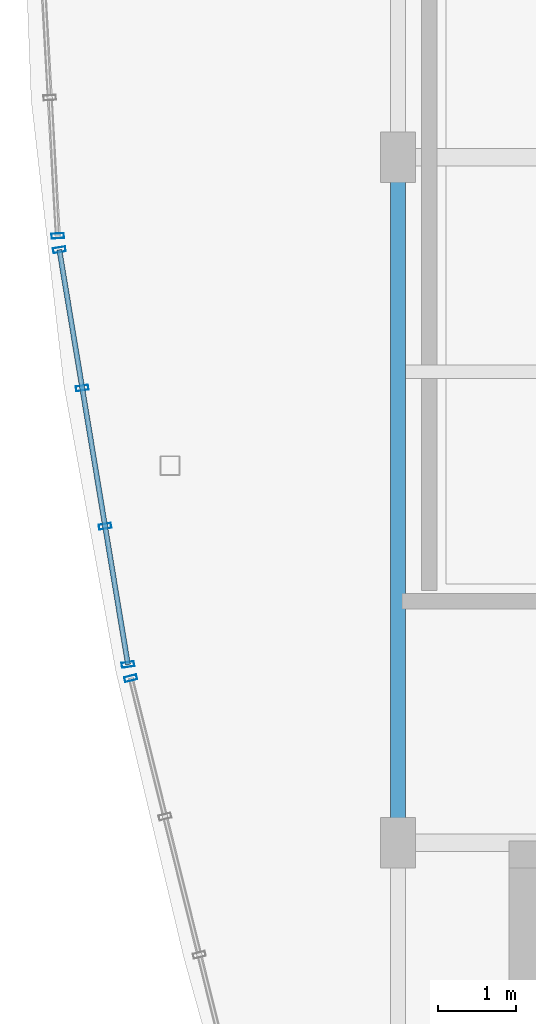
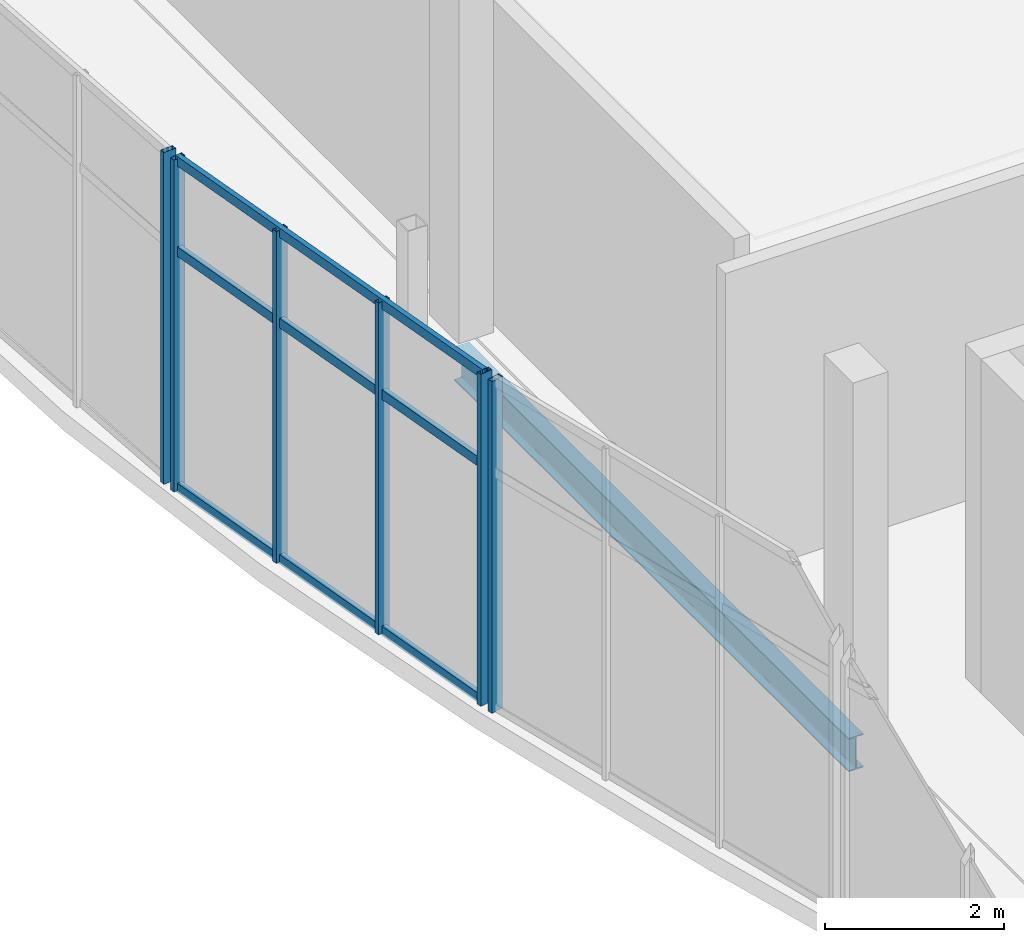
# One storey, part 20 of 157: 9 members, 1 beam, 3 elements without a shape of their own.
"""IFC4 building model written with IfcOpenShell, lengths in metres."""

from ifc_helpers import new_model, si_unit, direction, frame, origin, origin_2d, place, context, subcontext, project, spatial, hollow_rectangle, i_section, extrude, material, layer, layer_set, material_profile, profile_set, type_object, element, aggregate, save


model = new_model("IFC4")

# Units and contexts
model_context = context("Model", 3, precision=1e-05, world=origin(), true_north=direction((0.0, 1.0)))
body_context = subcontext(model_context, "Body", "Model", "MODEL_VIEW")
ifc_project = project(units=[si_unit("LENGTHUNIT", "METRE"), si_unit("AREAUNIT", "SQUARE_METRE"), si_unit("VOLUMEUNIT", "CUBIC_METRE"), si_unit("PLANEANGLEUNIT", "RADIAN"), si_unit("MASSUNIT", "GRAM", prefix="KILO")], contexts=[model_context])

# Site, building, storey
site_placement = place(None, origin())
site = spatial("IfcSite", under=ifc_project, at=site_placement, CompositionType="ELEMENT")
building_placement = place(site_placement, origin())
building = spatial("IfcBuilding", under=site, at=building_placement, Name="Chalmorin Arch Market", CompositionType="ELEMENT")
storey_placement = place(building_placement, frame((0.0, 0.0, 4.800048828125)))
storey = spatial("IfcBuildingStorey", under=building, at=storey_placement, Name="L01", CompositionType="ELEMENT", Elevation=4.800048828125)

# Curtain wall, member
ifc_material_1 = material(Name="Aluminium 6063-T6", Category="aluminium")
ifc_layer_1 = layer(ifc_material_1, 0.159912109375)
ifc_layer_set_1 = layer_set([ifc_layer_1], Name="Aluminium 6063-T6")
curtain_wall_type_1 = type_object("IfcCurtainWallType", Name="RiverfrontStorefrontCurtainWall-CW2-5490x4520", PredefinedType="NOTDEFINED", material=ifc_layer_set_1)
curtain_wall_1_placement = place(storey_placement, origin())
curtain_wall_1 = element("IfcCurtainWall", 1, at=curtain_wall_1_placement, inside=storey, type_object=curtain_wall_type_1, Name="CW-02-049", PredefinedType="NOTDEFINED")
ifc_material_profile_1 = material_profile(ifc_material_1, hollow_rectangle(XDim=0.06494140625, YDim=0.159912109375, WallThickness=0.00390625, at=origin_2d()), Name="ALU65X160X4")
ifc_profile_set_1 = profile_set([ifc_material_profile_1], Name="Aluminium 6063-T6")
member_type_1 = type_object("IfcMemberType", Name="CurtainWallMullion-65x160", PredefinedType="MULLION", material=ifc_profile_set_1)
member_1_placement = place(storey_placement, frame((-3.428466796875, 16.91259765625, 0.0), z_axis=(0.0, 0.0, 1.0), x_axis=(-0.2419218956, 0.970295726276, 0.0)))
member_1 = element("IfcMember", 2, at=member_1_placement, type_object=member_type_1, Name="ML-049-04", PredefinedType="MULLION", context=body_context, shape_type="SweptSolid", body=[
    extrude(hollow_rectangle(XDim=0.06494140625, YDim=0.159912109375, WallThickness=0.00390625, at=origin_2d()), origin(), (0.0, 0.0, 1.0), 4.52001953125),
])
aggregate(curtain_wall_1, [member_1])

# Curtain wall, members
ifc_layer_2 = layer(ifc_material_1, 0.159912109375)
ifc_layer_set_2 = layer_set([ifc_layer_2], Name="Aluminium 6063-T6")
curtain_wall_type_2 = type_object("IfcCurtainWallType", Name="RiverfrontStorefrontCurtainWall-CW2-5390x4520", PredefinedType="NOTDEFINED", material=ifc_layer_set_2)
curtain_wall_2_placement = place(storey_placement, origin())
curtain_wall_2 = element("IfcCurtainWall", 3, at=curtain_wall_2_placement, inside=storey, type_object=curtain_wall_type_2, Name="CW-02-052", PredefinedType="NOTDEFINED")
member_2_placement = place(storey_placement, frame((-3.464599609375, 17.0888671875, 0.0), z_axis=(0.0, 0.0, 1.0), x_axis=(-0.15643446504, 0.987688340595, 0.0)))
member_2 = element("IfcMember", 4, at=member_2_placement, type_object=member_type_1, Name="ML-052-01", PredefinedType="MULLION", context=body_context, shape_type="SweptSolid", body=[
    extrude(hollow_rectangle(XDim=0.06494140625, YDim=0.159912109375, WallThickness=0.00390625, at=origin_2d()), origin(), (0.0, 0.0, 1.0), 4.52001953125),
])
member_3_placement = place(storey_placement, frame((-3.75830078125, 18.86279296875, 0.0), z_axis=(0.0, 0.0, 1.0), x_axis=(-0.15643446504, 0.987688340595, 0.0)))
member_3 = element("IfcMember", 5, at=member_3_placement, type_object=member_type_1, Name="ML-052-02", PredefinedType="MULLION", context=body_context, shape_type="SweptSolid", body=[
    extrude(hollow_rectangle(XDim=0.06494140625, YDim=0.159912109375, WallThickness=0.00390625, at=origin_2d()), origin(), (0.0, 0.0, 1.0), 4.52001953125),
])
member_4_placement = place(storey_placement, frame((-4.0517578125, 20.63720703125, 0.0), z_axis=(0.0, 0.0, 1.0), x_axis=(-0.15643446504, 0.987688340595, 0.0)))
member_4 = element("IfcMember", 6, at=member_4_placement, type_object=member_type_1, Name="ML-052-03", PredefinedType="MULLION", context=body_context, shape_type="SweptSolid", body=[
    extrude(hollow_rectangle(XDim=0.06494140625, YDim=0.159912109375, WallThickness=0.00390625, at=origin_2d()), origin(), (0.0, 0.0, 1.0), 4.52001953125),
])
member_5_placement = place(storey_placement, frame((-4.34521484375, 22.4111328125, 0.0), z_axis=(0.0, 0.0, 1.0), x_axis=(-0.15643446504, 0.987688340595, 0.0)))
member_5 = element("IfcMember", 7, at=member_5_placement, type_object=member_type_1, Name="ML-052-04", PredefinedType="MULLION", context=body_context, shape_type="SweptSolid", body=[
    extrude(hollow_rectangle(XDim=0.06494140625, YDim=0.159912109375, WallThickness=0.00390625, at=origin_2d()), origin(), (0.0, 0.0, 1.0), 4.52001953125),
])

# Curtain wall, member
ifc_layer_3 = layer(ifc_material_1, 0.159912109375)
ifc_layer_set_3 = layer_set([ifc_layer_3], Name="Aluminium 6063-T6")
curtain_wall_type_3 = type_object("IfcCurtainWallType", Name="RiverfrontStorefrontCurtainWall-CW2-5330x4520", PredefinedType="NOTDEFINED", material=ifc_layer_set_3)
curtain_wall_3_placement = place(storey_placement, origin())
curtain_wall_3 = element("IfcCurtainWall", 8, at=curtain_wall_3_placement, inside=storey, type_object=curtain_wall_type_3, Name="CW-02-055", PredefinedType="NOTDEFINED")
member_6_placement = place(storey_placement, frame((-4.365234375, 22.58984375, 0.0), z_axis=(0.0, 0.0, 1.0), x_axis=(-0.052335956243, 0.998629534755, 0.0)))
member_6 = element("IfcMember", 9, at=member_6_placement, type_object=member_type_1, Name="ML-055-01", PredefinedType="MULLION", context=body_context, shape_type="SweptSolid", body=[
    extrude(hollow_rectangle(XDim=0.06494140625, YDim=0.159912109375, WallThickness=0.00390625, at=origin_2d()), origin(), (0.0, 0.0, 1.0), 4.52001953125),
])
aggregate(curtain_wall_3, [member_6])

# Member
ifc_material_profile_2 = material_profile(ifc_material_1, hollow_rectangle(XDim=0.06494140625, YDim=0.1298828125, WallThickness=0.00390625, at=origin_2d()), Name="ALU65X130X4")
ifc_profile_set_2 = profile_set([ifc_material_profile_2], Name="Aluminium 6063-T6")
member_type_2 = type_object("IfcMemberType", Name="CurtainWallTransom-65x130", PredefinedType="USERDEFINED", material=ifc_profile_set_2)
member_7_placement = place(storey_placement, frame((-3.464599609375, 17.0888671875, 0.034912109375), z_axis=(-0.16323933491, 0.986586498761, 0.0), x_axis=(-0.986586498761, -0.16323933491, 0.0)))
member_7 = element("IfcMember", 10, at=member_7_placement, type_object=member_type_2, Name="TR-052-01", ObjectType="TRANSOM", PredefinedType="USERDEFINED", context=body_context, shape_type="SweptSolid", body=[
    extrude(hollow_rectangle(XDim=0.06494140625, YDim=0.1298828125, WallThickness=0.00390625, at=origin_2d()), origin(), (0.0, 0.0, 1.0), 5.39453125),
])

member_8_placement = place(storey_placement, frame((-3.464599609375, 17.0888671875, 3.25439453125), z_axis=(-0.16323933491, 0.986586498761, 0.0), x_axis=(-0.986586498761, -0.16323933491, 0.0)))
member_8 = element("IfcMember", 11, at=member_8_placement, type_object=member_type_2, Name="TR-052-02", ObjectType="TRANSOM", PredefinedType="USERDEFINED", context=body_context, shape_type="SweptSolid", body=[
    extrude(hollow_rectangle(XDim=0.06494140625, YDim=0.1298828125, WallThickness=0.00390625, at=origin_2d()), origin(), (0.0, 0.0, 1.0), 5.39453125),
])

member_9_placement = place(storey_placement, frame((-3.464599609375, 17.0888671875, 4.48486328125), z_axis=(-0.16323933491, 0.986586498761, 0.0), x_axis=(-0.986586498761, -0.16323933491, 0.0)))
member_9 = element("IfcMember", 12, at=member_9_placement, type_object=member_type_2, Name="TR-052-03", ObjectType="TRANSOM", PredefinedType="USERDEFINED", context=body_context, shape_type="SweptSolid", body=[
    extrude(hollow_rectangle(XDim=0.06494140625, YDim=0.1298828125, WallThickness=0.00390625, at=origin_2d()), origin(), (0.0, 0.0, 1.0), 5.39453125),
])

aggregate(curtain_wall_2, [member_2, member_3, member_4, member_5, member_7, member_8, member_9])

# Beam
ifc_material_2 = material(Name="Steel A992 Grade 50", Category="steel")
ifc_material_profile_3 = material_profile(ifc_material_2, i_section(OverallWidth=0.19091796875, OverallDepth=0.45703125, WebThickness=0.009033203125, FlangeThickness=0.014404296875, FilletRadius=0.02001953125, at=origin_2d()), Name="W18X50")
ifc_profile_set_3 = profile_set([ifc_material_profile_3], Name="Steel A992 Grade 50")
beam_type = type_object("IfcBeamType", Name="PerimeterSpandrelBeam-W18X50", PredefinedType="SPANDREL", material=ifc_profile_set_3)
beam_placement = place(storey_placement, frame((0.0, 14.800048828125, -0.510498046875), z_axis=(0.0, 1.0, 0.0), x_axis=(-1.0, 0.0, 0.0)))
element("IfcBeam", 13, at=beam_placement, inside=storey, type_object=beam_type, Name="SP-W18-0803", PredefinedType="SPANDREL", context=body_context, shape_type="SweptSolid", body=[
    extrude(i_section(OverallWidth=0.19091796875, OverallDepth=0.45703125, WebThickness=0.009033203125, FlangeThickness=0.014404296875, FilletRadius=0.02001953125, at=origin_2d()), origin(), (0.0, 0.0, 1.0), 8.800048828125),
])

save(model, "model.ifc")
